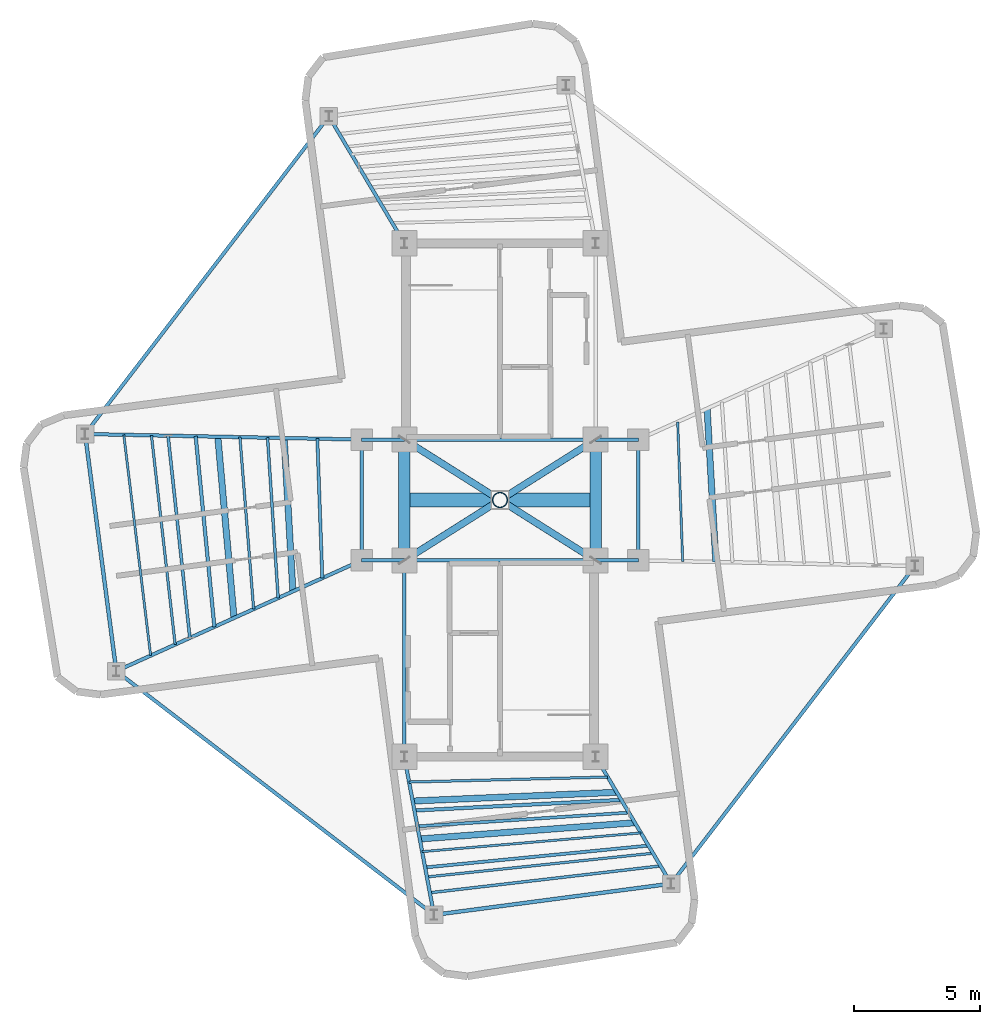
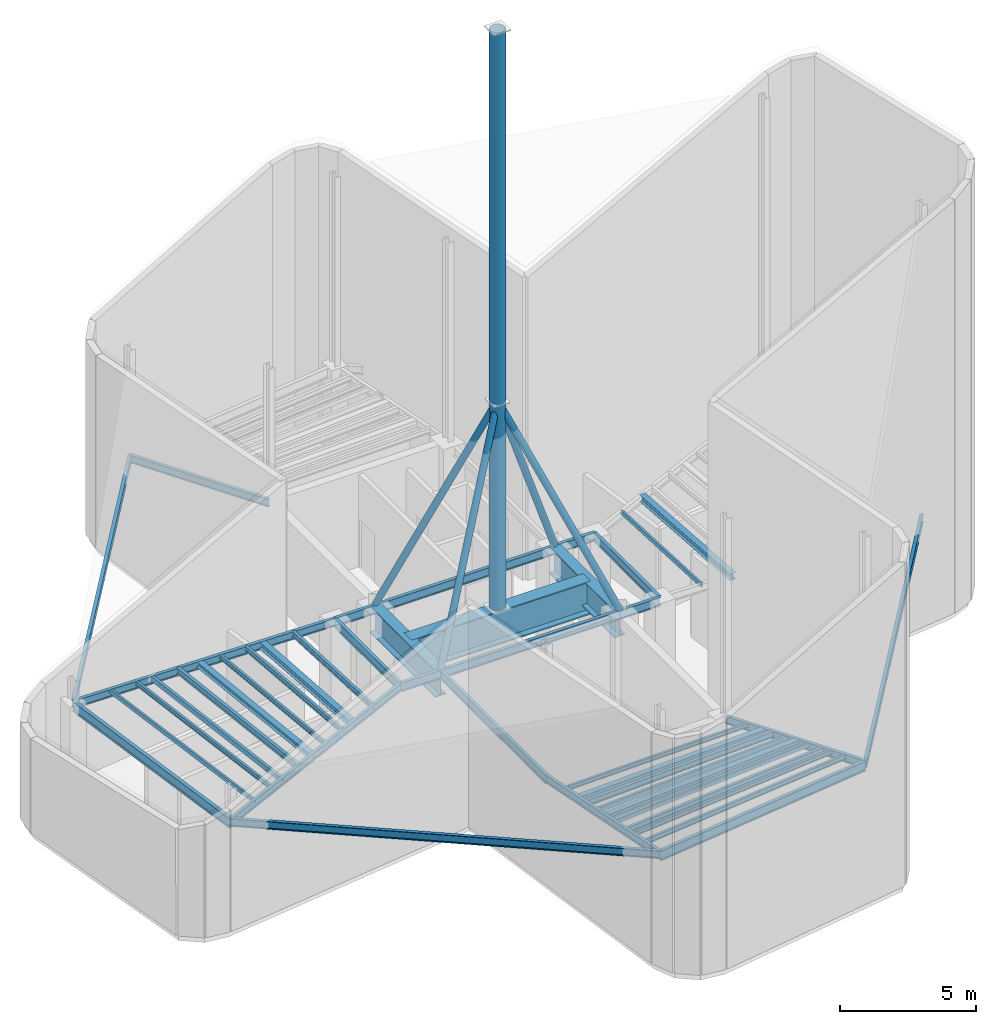
# One storey, part 3 of 8: 42 beams, 5 members.
"""IFC4 building model written with IfcOpenShell, lengths in metres."""

from ifc_helpers import new_model, si_unit, direction, frame, origin, origin_2d, place, context, subcontext, project, spatial, hollow_rectangle, hollow_circle, i_section, extrude, source, transform, mapped, material, material_profile, profile_set, type_object, element, save


model = new_model("IFC4")

# Units and contexts
model_context = context("Model", 3, precision=1e-05, world=origin(), true_north=direction((0.0, 1.0)))
body_context = subcontext(model_context, "Body", "Model", "MODEL_VIEW")
ifc_project = project(units=[si_unit("LENGTHUNIT", "METRE"), si_unit("AREAUNIT", "SQUARE_METRE"), si_unit("VOLUMEUNIT", "CUBIC_METRE"), si_unit("PLANEANGLEUNIT", "RADIAN"), si_unit("MASSUNIT", "GRAM", prefix="KILO")], contexts=[model_context])

# Site, building, storey
site_placement = place(None, origin())
site = spatial("IfcSite", under=ifc_project, at=site_placement, CompositionType="ELEMENT")
building_placement = place(site_placement, origin())
building = spatial("IfcBuilding", under=site, at=building_placement, Name="Sahyath Konkavel Grand Hotel", CompositionType="ELEMENT")
storey_placement = place(building_placement, frame((0.0, 0.0, 300.300048828125)))
storey = spatial("IfcBuildingStorey", under=building, at=storey_placement, Name="L83", CompositionType="ELEMENT", Elevation=300.300048828125)

# Beams
ifc_material_1 = material(Name="Steel E350", Category="steel")
ifc_material_profile_1 = material_profile(ifc_material_1, i_section(OverallWidth=0.139892578125, OverallDepth=0.39990234375, WebThickness=0.0087890625, FlangeThickness=0.01611328125, FilletRadius=0.013916015625, at=origin_2d()), Name="ISMB 400")
ifc_profile_set_1 = profile_set([ifc_material_profile_1], Name="Steel E350")
beam_type_1 = type_object("IfcBeamType", Name="BM-ISMB400", PredefinedType="BEAM", material=ifc_profile_set_1)
shared_shape_1 = source(origin(), body_context, "Body", "SweptSolid", [
    extrude(i_section(OverallWidth=0.139892578125, OverallDepth=0.39990234375, WebThickness=0.0087890625, FlangeThickness=0.01611328125, FilletRadius=0.013916015625, at=origin_2d()), origin(), (0.0, 0.0, 1.0), 7.60009765625),
])
for number, where, z_axis, x_axis, name in (
    (1, (-3.800048828125, 2.39990234375, 4.050048828125), (1.0, 0.0, 0.0), (0.0, 1.0, 0.0), "str:bm:L83:NC-S"),
    (2, (-3.800048828125, -2.39990234375, 4.050048828125), (1.0, 0.0, 0.0), (0.0, 1.0, 0.0), "str:bm:L83:SC-N"),
):
    element("IfcBeam", number, at=place(storey_placement, frame(where, z_axis=z_axis, x_axis=x_axis)), inside=storey, type_object=beam_type_1, Name=name, PredefinedType="BEAM", context=body_context, shape_type="MappedRepresentation", body=[
        mapped(shared_shape_1, transform((0.0, 0.0, 0.0), scale=1.0)),
    ])
shared_shape_2 = source(origin(), body_context, "Body", "SweptSolid", [
    extrude(i_section(OverallWidth=0.139892578125, OverallDepth=0.39990234375, WebThickness=0.0087890625, FlangeThickness=0.01611328125, FilletRadius=0.013916015625, at=origin_2d()), origin(), (0.0, 0.0, 1.0), 7.800048828125),
])
beam_1_placement = place(storey_placement, frame((-3.800048828125, -10.199951171875, 4.050048828125), z_axis=(0.0, 1.0, 0.0), x_axis=(-1.0, 0.0, 0.0)))
element("IfcBeam", 3, at=beam_1_placement, inside=storey, type_object=beam_type_1, Name="str:bm:L83:SC-W", PredefinedType="BEAM", context=body_context, shape_type="MappedRepresentation", body=[
    mapped(shared_shape_2, transform((0.0, 0.0, 0.0), scale=1.0)),
])
shared_shape_3 = source(origin(), body_context, "Body", "SweptSolid", [
    extrude(i_section(OverallWidth=0.139892578125, OverallDepth=0.39990234375, WebThickness=0.0087890625, FlangeThickness=0.01611328125, FilletRadius=0.013916015625, at=origin_2d()), origin(), (0.0, 0.0, 1.0), 1.699951171875),
])
for number, where, z_axis, x_axis, name in (
    (4, (-5.5, 2.39990234375, 4.050048828125), (1.0, 0.0, 0.0), (0.0, 1.0, 0.0), "str:bm:L83:HB-NW"),
    (5, (3.800048828125, 2.39990234375, 4.050048828125), (1.0, 0.0, 0.0), (0.0, 1.0, 0.0), "str:bm:L83:HB-NE"),
    (6, (-5.5, -2.39990234375, 4.050048828125), (1.0, 0.0, 0.0), (0.0, 1.0, 0.0), "str:bm:L83:HB-SW"),
    (7, (3.800048828125, -2.39990234375, 4.050048828125), (1.0, 0.0, 0.0), (0.0, 1.0, 0.0), "str:bm:L83:HB-SE"),
):
    element("IfcBeam", number, at=place(storey_placement, frame(where, z_axis=z_axis, x_axis=x_axis)), inside=storey, type_object=beam_type_1, Name=name, PredefinedType="BEAM", context=body_context, shape_type="MappedRepresentation", body=[
        mapped(shared_shape_3, transform((0.0, 0.0, 0.0), scale=1.0)),
    ])
shared_shape_4 = source(origin(), body_context, "Body", "SweptSolid", [
    extrude(i_section(OverallWidth=0.139892578125, OverallDepth=0.39990234375, WebThickness=0.0087890625, FlangeThickness=0.01611328125, FilletRadius=0.013916015625, at=origin_2d()), origin(), (0.0, 0.0, 1.0), 4.7998046875),
])
for number, where, z_axis, x_axis, name in (
    (8, (5.5, -2.39990234375, 4.050048828125), (0.0, 1.0, 0.0), (-1.0, 0.0, 0.0), "str:bm:L83:HB-E"),
    (9, (-5.5, -2.39990234375, 4.050048828125), (0.0, 1.0, 0.0), (-1.0, 0.0, 0.0), "str:bm:L83:HB-W"),
):
    element("IfcBeam", number, at=place(storey_placement, frame(where, z_axis=z_axis, x_axis=x_axis)), inside=storey, type_object=beam_type_1, Name=name, PredefinedType="BEAM", context=body_context, shape_type="MappedRepresentation", body=[
        mapped(shared_shape_4, transform((0.0, 0.0, 0.0), scale=1.0)),
    ])
ifc_material_profile_2 = material_profile(ifc_material_1, i_section(OverallWidth=0.14990234375, OverallDepth=0.449951171875, WebThickness=0.009521484375, FlangeThickness=0.017333984375, FilletRadius=0.014892578125, at=origin_2d()), Name="ISMB 450")
ifc_profile_set_2 = profile_set([ifc_material_profile_2], Name="Steel E350")
beam_type_2 = type_object("IfcBeamType", Name="BM-ISMB450", PredefinedType="BEAM", material=ifc_profile_set_2)
shared_shape_5 = source(origin(), body_context, "Body", "SweptSolid", [
    extrude(i_section(OverallWidth=0.14990234375, OverallDepth=0.449951171875, WebThickness=0.009521484375, FlangeThickness=0.017333984375, FilletRadius=0.014892578125, at=origin_2d()), origin(), (0.0, 0.0, 1.0), 9.5),
])
for number, where, z_axis, x_axis, name in (
    (10, (-16.483154296875, 2.620849609375, 4.02490234375), (0.130525643939, -0.991444933556, 0.0), (0.991444933556, 0.130525643939, 0.0), "L83 Wing Tip Edge Beam W"),
    (11, (-2.620849609375, -16.483154296875, 4.02490234375), (0.991444933556, 0.130525643939, 0.0), (-0.130525643939, 0.991444933556, 0.0), "L83 Wing Tip Edge Beam S"),
):
    element("IfcBeam", number, at=place(storey_placement, frame(where, z_axis=z_axis, x_axis=x_axis)), inside=storey, type_object=beam_type_2, Name=name, PredefinedType="BEAM", context=body_context, shape_type="MappedRepresentation", body=[
        mapped(shared_shape_5, transform((0.0, 0.0, 0.0), scale=1.0)),
    ])
ifc_material_profile_3 = material_profile(ifc_material_1, i_section(OverallWidth=0.139892578125, OverallDepth=0.35009765625, WebThickness=0.008056640625, FlangeThickness=0.01416015625, FilletRadius=0.013916015625, at=origin_2d()), Name="ISMB 350")
ifc_profile_set_3 = profile_set([ifc_material_profile_3], Name="Steel E350")
beam_type_3 = type_object("IfcBeamType", Name="BM-ISMB350", PredefinedType="BEAM", material=ifc_profile_set_3)
shared_shape_6 = source(origin(), body_context, "Body", "SweptSolid", [
    extrude(i_section(OverallWidth=0.139892578125, OverallDepth=0.35009765625, WebThickness=0.008056640625, FlangeThickness=0.01416015625, FilletRadius=0.013916015625, at=origin_2d()), origin(), (0.0, 0.0, 1.0), 10.9853515625),
])
beam_2_placement = place(storey_placement, frame((-5.5, 2.39990234375, 4.074951171875), z_axis=(-0.999797716106, 0.020112853337, 0.0), x_axis=(-0.020112853337, -0.999797716106, 0.0)))
element("IfcBeam", 12, at=beam_2_placement, inside=storey, type_object=beam_type_3, Name="L83 Cruciform Radial Girder WA", PredefinedType="BEAM", context=body_context, shape_type="MappedRepresentation", body=[
    mapped(shared_shape_6, transform((0.0, 0.0, 0.0), scale=1.0)),
])
shared_shape_7 = source(origin(), body_context, "Body", "SweptSolid", [
    extrude(i_section(OverallWidth=0.139892578125, OverallDepth=0.35009765625, WebThickness=0.008056640625, FlangeThickness=0.01416015625, FilletRadius=0.013916015625, at=origin_2d()), origin(), (0.0, 0.0, 1.0), 10.689697265625),
])
beam_3_placement = place(storey_placement, frame((-5.5, -2.39990234375, 4.074951171875), z_axis=(-0.911447410295, -0.411416599405, 0.0), x_axis=(0.411416599405, -0.911447410295, 0.0)))
element("IfcBeam", 13, at=beam_3_placement, inside=storey, type_object=beam_type_3, Name="L83 Cruciform Radial Girder WB", PredefinedType="BEAM", context=body_context, shape_type="MappedRepresentation", body=[
    mapped(shared_shape_7, transform((0.0, 0.0, 0.0), scale=1.0)),
])
shared_shape_8 = source(origin(), body_context, "Body", "SweptSolid", [
    extrude(i_section(OverallWidth=0.139892578125, OverallDepth=0.35009765625, WebThickness=0.008056640625, FlangeThickness=0.01416015625, FilletRadius=0.013916015625, at=origin_2d()), origin(), (0.0, 0.0, 1.0), 6.392822265625),
])
beam_4_placement = place(storey_placement, frame((-3.800048828125, -10.199951171875, 4.074951171875), z_axis=(0.184454547999, -0.982841044993, 0.0), x_axis=(0.982841044993, 0.184454547999, 0.0)))
element("IfcBeam", 14, at=beam_4_placement, inside=storey, type_object=beam_type_3, Name="L83 Cruciform Radial Girder SA", PredefinedType="BEAM", context=body_context, shape_type="MappedRepresentation", body=[
    mapped(shared_shape_8, transform((0.0, 0.0, 0.0), scale=1.0)),
])
shared_shape_9 = source(origin(), body_context, "Body", "SweptSolid", [
    extrude(i_section(OverallWidth=0.139892578125, OverallDepth=0.35009765625, WebThickness=0.008056640625, FlangeThickness=0.01416015625, FilletRadius=0.013916015625, at=origin_2d()), origin(), (0.0, 0.0, 1.0), 5.866943359375),
])
for number, where, z_axis, x_axis, name in (
    (15, (-3.800048828125, 10.199951171875, 4.074951171875), (-0.510966539123, 0.859600602546, 0.0), (-0.859600602546, -0.510966539123, 0.0), "L83 Cruciform Radial Girder NB"),
    (16, (3.800048828125, -10.199951171875, 4.074951171875), (0.510966539123, -0.859600602546, 0.0), (0.859600602546, 0.510966539123, 0.0), "L83 Cruciform Radial Girder SB"),
):
    element("IfcBeam", number, at=place(storey_placement, frame(where, z_axis=z_axis, x_axis=x_axis)), inside=storey, type_object=beam_type_3, Name=name, PredefinedType="BEAM", context=body_context, shape_type="MappedRepresentation", body=[
        mapped(shared_shape_9, transform((0.0, 0.0, 0.0), scale=1.0)),
    ])
shared_shape_10 = source(origin(), body_context, "Body", "SweptSolid", [
    extrude(i_section(OverallWidth=0.139892578125, OverallDepth=0.35009765625, WebThickness=0.008056640625, FlangeThickness=0.01416015625, FilletRadius=0.013916015625, at=origin_2d()), origin(), (0.0, 0.0, 1.0), 15.909912109375),
])
for number, where, z_axis, x_axis, name in (
    (17, (-6.7978515625, 15.2431640625, 4.074951171875), (-0.608755898564, -0.79335758392, 0.0), (0.79335758392, -0.608755898564, 0.0), "L83 Re-Entrant Tie Beam NW"),
    (18, (-15.2431640625, -6.7978515625, 4.074951171875), (0.79335758392, -0.608755898564, 0.0), (0.608755898564, 0.79335758392, 0.0), "L83 Re-Entrant Tie Beam SW"),
    (19, (16.483154296875, -2.620849609375, 4.074951171875), (-0.608755898564, -0.79335758392, 0.0), (0.79335758392, -0.608755898564, 0.0), "L83 Re-Entrant Tie Beam SE"),
):
    element("IfcBeam", number, at=place(storey_placement, frame(where, z_axis=z_axis, x_axis=x_axis)), inside=storey, type_object=beam_type_3, Name=name, PredefinedType="BEAM", context=body_context, shape_type="MappedRepresentation", body=[
        mapped(shared_shape_10, transform((0.0, 0.0, 0.0), scale=1.0)),
    ])
ifc_material_profile_4 = material_profile(ifc_material_1, i_section(OverallWidth=0.25, OverallDepth=0.300048828125, WebThickness=0.009521484375, FlangeThickness=0.010498046875, FilletRadius=0.010986328125, at=origin_2d()), Name="ISHB 300")
ifc_profile_set_4 = profile_set([ifc_material_profile_4], Name="Steel E350")
beam_type_4 = type_object("IfcBeamType", Name="BM-ISHB300", PredefinedType="BEAM", material=ifc_profile_set_4)
shared_shape_11 = source(origin(), body_context, "Body", "SweptSolid", [
    extrude(i_section(OverallWidth=0.25, OverallDepth=0.300048828125, WebThickness=0.009521484375, FlangeThickness=0.010498046875, FilletRadius=0.010986328125, at=origin_2d()), origin(), (0.0, 0.0, 1.0), 6.10302734375),
])
for number, where, z_axis, x_axis, name in (
    (20, (8.5751953125, -2.4619140625, 4.099853515625), (-0.056883465537, 0.99838082481, 0.0), (-0.99838082481, -0.056883465537, 0.0), "L83 Secondary Floor Beam E-1"),
    (21, (-8.5751953125, 2.4619140625, 4.099853515625), (0.056883465537, -0.99838082481, 0.0), (0.99838082481, 0.056883465537, 0.0), "L83 Secondary Floor Beam W-1"),
):
    element("IfcBeam", number, at=place(storey_placement, frame(where, z_axis=z_axis, x_axis=x_axis)), inside=storey, type_object=beam_type_4, Name=name, PredefinedType="BEAM", context=body_context, shape_type="MappedRepresentation", body=[
        mapped(shared_shape_11, transform((0.0, 0.0, 0.0), scale=1.0)),
    ])
ifc_material_profile_5 = material_profile(ifc_material_1, i_section(OverallWidth=0.25, OverallDepth=0.25, WebThickness=0.0087890625, FlangeThickness=0.009765625, FilletRadius=0.010009765625, at=origin_2d()), Name="ISHB 250")
ifc_profile_set_5 = profile_set([ifc_material_profile_5], Name="Steel E350")
beam_type_5 = type_object("IfcBeamType", Name="BM-ISHB250", PredefinedType="BEAM", material=ifc_profile_set_5)
shared_shape_12 = source(origin(), body_context, "Body", "SweptSolid", [
    extrude(i_section(OverallWidth=0.25, OverallDepth=0.25, WebThickness=0.0087890625, FlangeThickness=0.009765625, FilletRadius=0.010009765625, at=origin_2d()), origin(), (0.0, 0.0, 1.0), 7.230712890625),
])
beam_5_placement = place(storey_placement, frame((-11.211181640625, 2.514892578125, 4.125), z_axis=(0.089171800482, -0.996016259907, 0.0), x_axis=(0.996016259907, 0.089171800482, 0.0)))
element("IfcBeam", 22, at=beam_5_placement, inside=storey, type_object=beam_type_5, Name="L83 Secondary Floor Beam W-2", PredefinedType="BEAM", context=body_context, shape_type="MappedRepresentation", body=[
    mapped(shared_shape_12, transform((0.0, 0.0, 0.0), scale=1.0)),
])
ifc_material_profile_6 = material_profile(ifc_material_1, i_section(OverallWidth=0.10009765625, OverallDepth=0.199951171875, WebThickness=0.005615234375, FlangeThickness=0.0107421875, FilletRadius=0.010986328125, at=origin_2d()), Name="ISMB 200")
ifc_profile_set_6 = profile_set([ifc_material_profile_6], Name="Steel E350")
beam_type_6 = type_object("IfcBeamType", Name="BM-ISMB200", PredefinedType="BEAM", material=ifc_profile_set_6)
shared_shape_13 = source(origin(), body_context, "Body", "SweptSolid", [
    extrude(i_section(OverallWidth=0.10009765625, OverallDepth=0.199951171875, WebThickness=0.005615234375, FlangeThickness=0.0107421875, FilletRadius=0.010986328125, at=origin_2d()), origin(), (0.0, 0.0, 1.0), 8.36328125),
])
beam_6_placement = place(storey_placement, frame((-13.84716796875, 2.56787109375, 4.14990234375), z_axis=(0.112680437677, -0.99363127918, 0.0), x_axis=(0.99363127918, 0.112680437677, 0.0)))
element("IfcBeam", 23, at=beam_6_placement, inside=storey, type_object=beam_type_6, Name="L83 Secondary Floor Beam W-3", PredefinedType="BEAM", context=body_context, shape_type="MappedRepresentation", body=[
    mapped(shared_shape_13, transform((0.0, 0.0, 0.0), scale=1.0)),
])
shared_shape_14 = source(origin(), body_context, "Body", "SweptSolid", [
    extrude(i_section(OverallWidth=0.25, OverallDepth=0.300048828125, WebThickness=0.009521484375, FlangeThickness=0.010498046875, FilletRadius=0.010986328125, at=origin_2d()), origin(), (0.0, 0.0, 1.0), 8.11669921875),
])
beam_7_placement = place(storey_placement, frame((-3.469970703125, -11.959228515625, 4.099853515625), z_axis=(0.999084879956, 0.042771516718, 0.0), x_axis=(-0.042771516718, 0.999084879956, 0.0)))
element("IfcBeam", 24, at=beam_7_placement, inside=storey, type_object=beam_type_4, Name="L83 Secondary Floor Beam S-1", PredefinedType="BEAM", context=body_context, shape_type="MappedRepresentation", body=[
    mapped(shared_shape_14, transform((0.0, 0.0, 0.0), scale=1.0)),
])
shared_shape_15 = source(origin(), body_context, "Body", "SweptSolid", [
    extrude(i_section(OverallWidth=0.25, OverallDepth=0.25, WebThickness=0.0087890625, FlangeThickness=0.009765625, FilletRadius=0.010009765625, at=origin_2d()), origin(), (0.0, 0.0, 1.0), 8.570068359375),
])
beam_8_placement = place(storey_placement, frame((-3.18701171875, -13.46728515625, 4.125), z_axis=(0.997165854664, 0.075234688098, 0.0), x_axis=(-0.075234688098, 0.997165854664, 0.0)))
element("IfcBeam", 25, at=beam_8_placement, inside=storey, type_object=beam_type_5, Name="L83 Secondary Floor Beam S-2", PredefinedType="BEAM", context=body_context, shape_type="MappedRepresentation", body=[
    mapped(shared_shape_15, transform((0.0, 0.0, 0.0), scale=1.0)),
])
shared_shape_16 = source(origin(), body_context, "Body", "SweptSolid", [
    extrude(i_section(OverallWidth=0.10009765625, OverallDepth=0.199951171875, WebThickness=0.005615234375, FlangeThickness=0.0107421875, FilletRadius=0.010986328125, at=origin_2d()), origin(), (0.0, 0.0, 1.0), 9.031494140625),
])
beam_9_placement = place(storey_placement, frame((-2.90380859375, -14.97509765625, 4.14990234375), z_axis=(0.994541240043, 0.104344246869, 0.0), x_axis=(-0.104344246869, 0.994541240043, 0.0)))
element("IfcBeam", 26, at=beam_9_placement, inside=storey, type_object=beam_type_6, Name="L83 Secondary Floor Beam S-3", PredefinedType="BEAM", context=body_context, shape_type="MappedRepresentation", body=[
    mapped(shared_shape_16, transform((0.0, 0.0, 0.0), scale=1.0)),
])
ifc_material_2 = material(Name="Steel E450", Category="steel")
ifc_material_profile_7 = material_profile(ifc_material_2, i_section(OverallWidth=0.449951171875, OverallDepth=1.199951171875, WebThickness=0.02197265625, FlangeThickness=0.0400390625, at=origin_2d()), Name="BPG 1200x450")
ifc_profile_set_7 = profile_set([ifc_material_profile_7], Name="Steel E450")
beam_type_7 = type_object("IfcBeamType", Name="BM-BPG1200", PredefinedType="BEAM", material=ifc_profile_set_7)
shared_shape_17 = source(origin(), body_context, "Body", "SweptSolid", [
    extrude(i_section(OverallWidth=0.449951171875, OverallDepth=1.199951171875, WebThickness=0.02197265625, FlangeThickness=0.0400390625, at=origin_2d()), origin(), (0.0, 0.0, 1.0), 4.7998046875),
])
for number, where, z_axis, x_axis, name in (
    (27, (-3.800048828125, -2.39990234375, 3.64990234375), (0.0, 1.0, 0.0), (-1.0, 0.0, 0.0), "L83 Split-Core Coupling Beam West"),
    (28, (3.800048828125, -2.39990234375, 3.64990234375), (0.0, 1.0, 0.0), (-1.0, 0.0, 0.0), "L83 Split-Core Coupling Beam East"),
):
    element("IfcBeam", number, at=place(storey_placement, frame(where, z_axis=z_axis, x_axis=x_axis)), inside=storey, type_object=beam_type_7, Name=name, PredefinedType="BEAM", context=body_context, shape_type="MappedRepresentation", body=[
        mapped(shared_shape_17, transform((0.0, 0.0, 0.0), scale=1.0)),
    ])
ifc_material_profile_8 = material_profile(ifc_material_1, hollow_rectangle(XDim=0.090087890625, YDim=0.179931640625, WallThickness=0.008056640625, at=origin_2d()), Name="RHS 180x90x8")
ifc_profile_set_8 = profile_set([ifc_material_profile_8], Name="Steel E350")
beam_type_8 = type_object("IfcBeamType", Name="BM-RHS180", PredefinedType="BEAM", material=ifc_profile_set_8)
shared_shape_18 = source(origin(), body_context, "Body", "SweptSolid", [
    extrude(hollow_rectangle(XDim=0.090087890625, YDim=0.179931640625, WallThickness=0.008056640625, at=origin_2d()), origin(), (0.0, 0.0, 1.0), 5.54248046875),
])
beam_10_placement = place(storey_placement, frame((7.25732421875, -2.435302734375, 4.159912109375), z_axis=(-0.035812512973, 0.999358526213, 0.0), x_axis=(-0.999358526213, -0.035812512973, 0.0)))
element("IfcBeam", 29, at=beam_10_placement, inside=storey, type_object=beam_type_8, Name="L83 Composite Deck Sub-Beam E-1", PredefinedType="BEAM", context=body_context, shape_type="MappedRepresentation", body=[
    mapped(shared_shape_18, transform((0.0, 0.0, 0.0), scale=1.0)),
])
ifc_material_profile_9 = material_profile(ifc_material_1, i_section(OverallWidth=0.125, OverallDepth=0.25, WebThickness=0.0068359375, FlangeThickness=0.012451171875, FilletRadius=0.012939453125, at=origin_2d()), Name="ISMB 250")
ifc_profile_set_9 = profile_set([ifc_material_profile_9], Name="Steel E350")
beam_type_9 = type_object("IfcBeamType", Name="BM-ISMB250", PredefinedType="BEAM", material=ifc_profile_set_9)
shared_shape_19 = source(origin(), body_context, "Body", "SweptSolid", [
    extrude(i_section(OverallWidth=0.125, OverallDepth=0.25, WebThickness=0.0068359375, FlangeThickness=0.012451171875, FilletRadius=0.012939453125, at=origin_2d()), origin(), (0.0, 0.0, 1.0), 5.54248046875),
])
beam_11_placement = place(storey_placement, frame((-7.25732421875, 2.435302734375, 4.125), z_axis=(0.035812512973, -0.999358526213, 0.0), x_axis=(0.999358526213, 0.035812512973, 0.0)))
element("IfcBeam", 30, at=beam_11_placement, inside=storey, type_object=beam_type_9, Name="L83 Composite Deck Sub-Beam W-1", PredefinedType="BEAM", context=body_context, shape_type="MappedRepresentation", body=[
    mapped(shared_shape_19, transform((0.0, 0.0, 0.0), scale=1.0)),
])
ifc_material_profile_10 = material_profile(ifc_material_1, i_section(OverallWidth=0.110107421875, OverallDepth=0.22509765625, WebThickness=0.006591796875, FlangeThickness=0.01171875, FilletRadius=0.011962890625, at=origin_2d()), Name="ISMB 225")
ifc_profile_set_10 = profile_set([ifc_material_profile_10], Name="Steel E350")
beam_type_10 = type_object("IfcBeamType", Name="BM-ISMB225", PredefinedType="BEAM", material=ifc_profile_set_10)
shared_shape_20 = source(origin(), body_context, "Body", "SweptSolid", [
    extrude(i_section(OverallWidth=0.110107421875, OverallDepth=0.22509765625, WebThickness=0.006591796875, FlangeThickness=0.01171875, FilletRadius=0.011962890625, at=origin_2d()), origin(), (0.0, 0.0, 1.0), 6.38427734375),
])
beam_12_placement = place(storey_placement, frame((-9.234375, 2.47509765625, 4.137451171875), z_axis=(0.066041839115, -0.997816854681, 0.0), x_axis=(0.997816854681, 0.066041839115, 0.0)))
element("IfcBeam", 31, at=beam_12_placement, inside=storey, type_object=beam_type_10, Name="L83 Composite Deck Sub-Beam W-2", PredefinedType="BEAM", context=body_context, shape_type="MappedRepresentation", body=[
    mapped(shared_shape_20, transform((0.0, 0.0, 0.0), scale=1.0)),
])
shared_shape_21 = source(origin(), body_context, "Body", "SweptSolid", [
    extrude(i_section(OverallWidth=0.10009765625, OverallDepth=0.199951171875, WebThickness=0.005615234375, FlangeThickness=0.0107421875, FilletRadius=0.010986328125, at=origin_2d()), origin(), (0.0, 0.0, 1.0), 6.85400390625),
])
beam_13_placement = place(storey_placement, frame((-10.33251953125, 2.497314453125, 4.14990234375), z_axis=(0.079575331875, -0.996828855199, 0.0), x_axis=(0.996828855199, 0.079575331875, 0.0)))
element("IfcBeam", 32, at=beam_13_placement, inside=storey, type_object=beam_type_6, Name="L83 Composite Deck Sub-Beam W-3", PredefinedType="BEAM", context=body_context, shape_type="MappedRepresentation", body=[
    mapped(shared_shape_21, transform((0.0, 0.0, 0.0), scale=1.0)),
])
ifc_material_profile_11 = material_profile(ifc_material_1, i_section(OverallWidth=0.139892578125, OverallDepth=0.27490234375, WebThickness=0.00634765625, FlangeThickness=0.0087890625, FilletRadius=0.012939453125, at=origin_2d()), Name="ISLB 275")
ifc_profile_set_11 = profile_set([ifc_material_profile_11], Name="Steel E350")
beam_type_11 = type_object("IfcBeamType", Name="BM-ISLB275", PredefinedType="BEAM", material=ifc_profile_set_11)
shared_shape_22 = source(origin(), body_context, "Body", "SweptSolid", [
    extrude(i_section(OverallWidth=0.139892578125, OverallDepth=0.27490234375, WebThickness=0.00634765625, FlangeThickness=0.0087890625, FilletRadius=0.012939453125, at=origin_2d()), origin(), (0.0, 0.0, 1.0), 7.607666015625),
])
beam_14_placement = place(storey_placement, frame((-12.08984375, 2.532470703125, 4.112548828125), z_axis=(0.09778145576, -0.995207911398, 0.0), x_axis=(0.995207911398, 0.09778145576, 0.0)))
element("IfcBeam", 33, at=beam_14_placement, inside=storey, type_object=beam_type_11, Name="L83 Composite Deck Sub-Beam W-4", PredefinedType="BEAM", context=body_context, shape_type="MappedRepresentation", body=[
    mapped(shared_shape_22, transform((0.0, 0.0, 0.0), scale=1.0)),
])
ifc_material_profile_12 = material_profile(ifc_material_1, hollow_rectangle(XDim=0.1201171875, YDim=0.219970703125, WallThickness=0.010009765625, at=origin_2d()), Name="RHS 220x120x10")
ifc_profile_set_12 = profile_set([ifc_material_profile_12], Name="Steel E350")
beam_type_12 = type_object("IfcBeamType", Name="BM-RHS220", PredefinedType="BEAM", material=ifc_profile_set_12)
shared_shape_23 = source(origin(), body_context, "Body", "SweptSolid", [
    extrude(hollow_rectangle(XDim=0.1201171875, YDim=0.219970703125, WallThickness=0.010009765625, at=origin_2d()), origin(), (0.0, 0.0, 1.0), 8.079833984375),
])
beam_15_placement = place(storey_placement, frame((-13.188232421875, 2.5546875, 4.139892578125), z_axis=(0.107416459243, -0.994214113903, 0.0), x_axis=(0.994214113903, 0.107416459243, 0.0)))
element("IfcBeam", 34, at=beam_15_placement, inside=storey, type_object=beam_type_12, Name="L83 Composite Deck Sub-Beam W-5", PredefinedType="BEAM", context=body_context, shape_type="MappedRepresentation", body=[
    mapped(shared_shape_23, transform((0.0, 0.0, 0.0), scale=1.0)),
])
shared_shape_24 = source(origin(), body_context, "Body", "SweptSolid", [
    extrude(i_section(OverallWidth=0.10009765625, OverallDepth=0.199951171875, WebThickness=0.005615234375, FlangeThickness=0.0107421875, FilletRadius=0.010986328125, at=origin_2d()), origin(), (0.0, 0.0, 1.0), 7.893310546875),
])
beam_16_placement = place(storey_placement, frame((-3.611328125, -11.205322265625, 4.14990234375), z_axis=(0.999683790083, 0.025145970772, 0.0), x_axis=(-0.025145970772, 0.999683790083, 0.0)))
element("IfcBeam", 35, at=beam_16_placement, inside=storey, type_object=beam_type_6, Name="L83 Composite Deck Sub-Beam S-1", PredefinedType="BEAM", context=body_context, shape_type="MappedRepresentation", body=[
    mapped(shared_shape_24, transform((0.0, 0.0, 0.0), scale=1.0)),
])
shared_shape_25 = source(origin(), body_context, "Body", "SweptSolid", [
    extrude(hollow_rectangle(XDim=0.1201171875, YDim=0.219970703125, WallThickness=0.010009765625, at=origin_2d()), origin(), (0.0, 0.0, 1.0), 8.41796875),
])
beam_17_placement = place(storey_placement, frame((-3.28125, -12.964599609375, 4.139892578125), z_axis=(0.997896901011, 0.064821099595, 0.0), x_axis=(-0.064821099595, 0.997896901011, 0.0)))
element("IfcBeam", 36, at=beam_17_placement, inside=storey, type_object=beam_type_12, Name="L83 Composite Deck Sub-Beam S-3", PredefinedType="BEAM", context=body_context, shape_type="MappedRepresentation", body=[
    mapped(shared_shape_25, transform((0.0, 0.0, 0.0), scale=1.0)),
])
shared_shape_26 = source(origin(), body_context, "Body", "SweptSolid", [
    extrude(i_section(OverallWidth=0.125, OverallDepth=0.25, WebThickness=0.0068359375, FlangeThickness=0.012451171875, FilletRadius=0.012939453125, at=origin_2d()), origin(), (0.0, 0.0, 1.0), 8.915283203125),
])
beam_18_placement = place(storey_placement, frame((-2.974609375, -14.59814453125, 4.125), z_axis=(0.995250138935, 0.097350711092, 0.0), x_axis=(-0.097350711092, 0.995250138935, 0.0)))
element("IfcBeam", 37, at=beam_18_placement, inside=storey, type_object=beam_type_9, Name="L83 Composite Deck Sub-Beam S-5", PredefinedType="BEAM", context=body_context, shape_type="MappedRepresentation", body=[
    mapped(shared_shape_26, transform((0.0, 0.0, 0.0), scale=1.0)),
])
shared_shape_27 = source(origin(), body_context, "Body", "SweptSolid", [
    extrude(i_section(OverallWidth=0.110107421875, OverallDepth=0.22509765625, WebThickness=0.006591796875, FlangeThickness=0.01171875, FilletRadius=0.011962890625, at=origin_2d()), origin(), (0.0, 0.0, 1.0), 9.225830078125),
])
beam_19_placement = place(storey_placement, frame((-2.785888671875, -15.603515625, 4.137451171875), z_axis=(0.993297209422, 0.115588294191, 0.0), x_axis=(-0.115588294191, 0.993297209422, 0.0)))
element("IfcBeam", 38, at=beam_19_placement, inside=storey, type_object=beam_type_10, Name="L83 Composite Deck Sub-Beam S-6", PredefinedType="BEAM", context=body_context, shape_type="MappedRepresentation", body=[
    mapped(shared_shape_27, transform((0.0, 0.0, 0.0), scale=1.0)),
])
shared_shape_28 = source(origin(), body_context, "Body", "SweptSolid", [
    extrude(hollow_rectangle(XDim=0.090087890625, YDim=0.179931640625, WallThickness=0.008056640625, at=origin_2d()), origin(), (0.0, 0.0, 1.0), 8.8369140625),
])
beam_20_placement = place(storey_placement, frame((-14.945556640625, 2.590087890625, 4.159912109375), z_axis=(0.120677894343, -0.992691717411, 0.0), x_axis=(0.992691717411, 0.120677894343, 0.0)))
element("IfcBeam", 39, at=beam_20_placement, inside=storey, type_object=beam_type_8, Name="L83 Composite Deck Sub-Beam W-6", PredefinedType="BEAM", context=body_context, shape_type="MappedRepresentation", body=[
    mapped(shared_shape_28, transform((0.0, 0.0, 0.0), scale=1.0)),
])
shared_shape_29 = source(origin(), body_context, "Body", "SweptSolid", [
    extrude(i_section(OverallWidth=0.139892578125, OverallDepth=0.27490234375, WebThickness=0.00634765625, FlangeThickness=0.0087890625, FilletRadius=0.012939453125, at=origin_2d()), origin(), (0.0, 0.0, 1.0), 8.229248046875),
])
beam_21_placement = place(storey_placement, frame((-3.399169921875, -12.336181640625, 4.112548828125), z_axis=(0.998688130329, 0.051205647534, 0.0), x_axis=(-0.051205647534, 0.998688130329, 0.0)))
element("IfcBeam", 40, at=beam_21_placement, inside=storey, type_object=beam_type_11, Name="L83 Composite Deck Sub-Beam S-2", PredefinedType="BEAM", context=body_context, shape_type="MappedRepresentation", body=[
    mapped(shared_shape_29, transform((0.0, 0.0, 0.0), scale=1.0)),
])
shared_shape_30 = source(origin(), body_context, "Body", "SweptSolid", [
    extrude(hollow_rectangle(XDim=0.090087890625, YDim=0.179931640625, WallThickness=0.008056640625, at=origin_2d()), origin(), (0.0, 0.0, 1.0), 8.722900390625),
])
beam_22_placement = place(storey_placement, frame((-3.092529296875, -13.969970703125, 4.159912109375), z_axis=(0.996354605721, 0.085308262542, 0.0), x_axis=(-0.085308262542, 0.996354605721, 0.0)))
element("IfcBeam", 41, at=beam_22_placement, inside=storey, type_object=beam_type_8, Name="L83 Composite Deck Sub-Beam S-4", PredefinedType="BEAM", context=body_context, shape_type="MappedRepresentation", body=[
    mapped(shared_shape_30, transform((0.0, 0.0, 0.0), scale=1.0)),
])
ifc_material_profile_13 = material_profile(ifc_material_2, i_section(OverallWidth=0.550048828125, OverallDepth=1.5, WebThickness=0.028076171875, FlangeThickness=0.050048828125, at=origin_2d()), Name="BPG 1500x550")
ifc_profile_set_13 = profile_set([ifc_material_profile_13], Name="Steel E450")
beam_type_13 = type_object("IfcBeamType", Name="BM-BPG1500", PredefinedType="BEAM", material=ifc_profile_set_13)
shared_shape_31 = source(origin(), body_context, "Body", "SweptSolid", [
    extrude(i_section(OverallWidth=0.550048828125, OverallDepth=1.5, WebThickness=0.028076171875, FlangeThickness=0.050048828125, at=origin_2d()), origin(), (0.0, 0.0, 1.0), 7.60009765625),
])
beam_23_placement = place(storey_placement, frame((-3.800048828125, 0.0, 3.5), z_axis=(1.0, 0.0, 0.0), x_axis=(0.0, 1.0, 0.0)))
element("IfcBeam", 42, at=beam_23_placement, inside=storey, type_object=beam_type_13, Name="L83 Spire Primary Anchor Transfer Girder", PredefinedType="BEAM", context=body_context, shape_type="MappedRepresentation", body=[
    mapped(shared_shape_31, transform((0.0, 0.0, 0.0), scale=1.0)),
])

# Members
ifc_material_profile_14 = material_profile(ifc_material_2, hollow_circle(Radius=0.304931640625, WallThickness=0.02490234375, at=origin_2d()), Name="CHS 610.0x25")
ifc_profile_set_14 = profile_set([ifc_material_profile_14], Name="Steel E450")
member_type_1 = type_object("IfcMemberType", Name="SPIRE-CHS610", PredefinedType="USERDEFINED", material=ifc_profile_set_14)
shared_shape_32 = source(origin(), body_context, "Body", "SweptSolid", [
    extrude(hollow_circle(Radius=0.304931640625, WallThickness=0.02490234375, at=origin_2d()), origin(), (0.0, 0.0, 1.0), 25.949951171875),
])
member_placement = place(storey_placement, frame((0.0, 0.0, 4.25), z_axis=(0.0, 0.0, 1.0), x_axis=(1.0, 0.0, 0.0)))
element("IfcMember", 43, at=member_placement, inside=storey, type_object=member_type_1, Name="Crown Architectural Needle Spire Mast SPIRE", ObjectType="SPIRE", PredefinedType="USERDEFINED", context=body_context, shape_type="MappedRepresentation", body=[
    mapped(shared_shape_32, transform((0.0, 0.0, 0.0), scale=1.0)),
])
ifc_material_profile_15 = material_profile(ifc_material_1, hollow_circle(Radius=0.136474609375, WallThickness=0.011962890625, at=origin_2d()), Name="CHS 273.0x12")
ifc_profile_set_15 = profile_set([ifc_material_profile_15], Name="Steel E350")
member_type_2 = type_object("IfcMemberType", Name="BR-CHS273", PredefinedType="BRACE", material=ifc_profile_set_15)
shared_shape_33 = source(origin(), body_context, "Body", "SweptSolid", [
    extrude(hollow_circle(Radius=0.136474609375, WallThickness=0.011962890625, at=origin_2d()), origin(), (0.0, 0.0, 1.0), 10.2841796875),
])
for number, where, z_axis, x_axis, name in (
    (44, (-3.800048828125, 2.39990234375, 4.25), (0.369507726047, -0.233360806106, 0.899448038835), (0.533972553738, 0.845501810675, 0.0), "Crown Spire Base Tripod Strut NW"),
    (45, (3.800048828125, 2.39990234375, 4.25), (-0.369507726047, -0.233360806106, 0.899448038835), (0.533972553738, -0.845501810675, 0.0), "Crown Spire Base Tripod Strut NE"),
    (46, (-3.800048828125, -2.39990234375, 4.25), (0.369507726047, 0.233360806106, 0.899448038835), (-0.533972553738, 0.845501810675, 0.0), "Crown Spire Base Tripod Strut SW"),
    (47, (3.800048828125, -2.39990234375, 4.25), (-0.369507726047, 0.233360806106, 0.899448038835), (-0.533972553738, -0.845501810675, 0.0), "Crown Spire Base Tripod Strut SE"),
):
    element("IfcMember", number, at=place(storey_placement, frame(where, z_axis=z_axis, x_axis=x_axis)), inside=storey, type_object=member_type_2, Name=name, PredefinedType="BRACE", context=body_context, shape_type="MappedRepresentation", body=[
        mapped(shared_shape_33, transform((0.0, 0.0, 0.0), scale=1.0)),
    ])

save(model, "model.ifc")
